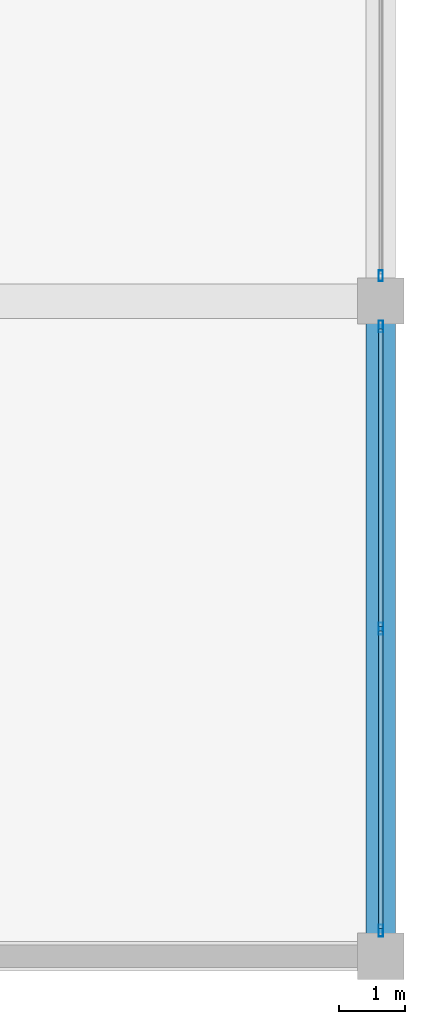
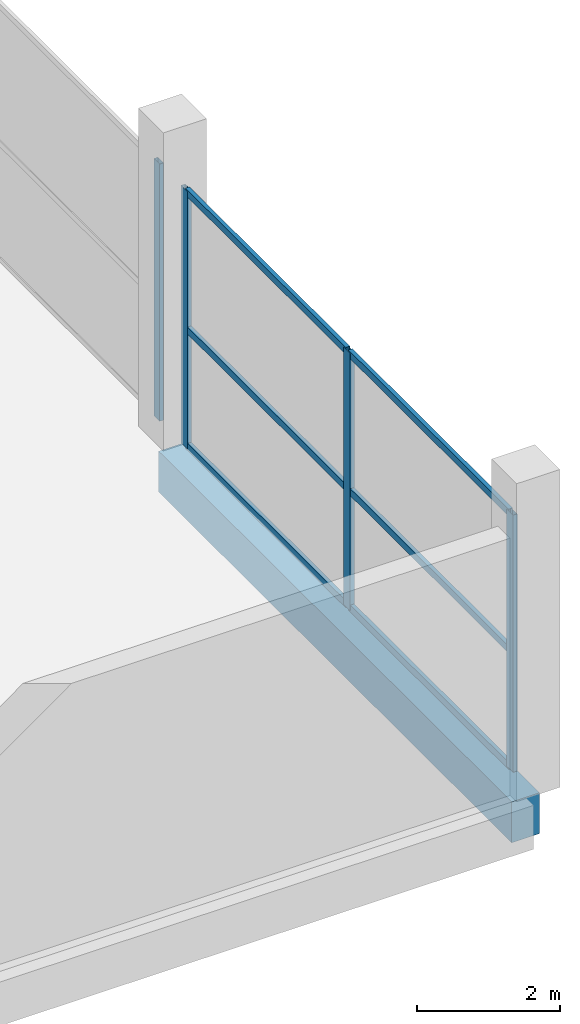
# One storey, part 35 of 74: 10 members, 1 beam, 2 elements without a shape of their own.
"""IFC4 building model written with IfcOpenShell, lengths in metres."""

from ifc_helpers import new_model, si_unit, direction, frame, origin, origin_2d, place, context, subcontext, project, spatial, rectangle, hollow_rectangle, extrude, material, layer, layer_set, material_profile, profile_set, type_object, element, aggregate, save


model = new_model("IFC4")

# Units and contexts
model_context = context("Model", 3, precision=1e-05, world=origin(), true_north=direction((0.0, 1.0)))
body_context = subcontext(model_context, "Body", "Model", "MODEL_VIEW")
ifc_project = project(units=[si_unit("LENGTHUNIT", "METRE"), si_unit("AREAUNIT", "SQUARE_METRE"), si_unit("VOLUMEUNIT", "CUBIC_METRE"), si_unit("PLANEANGLEUNIT", "RADIAN"), si_unit("MASSUNIT", "GRAM", prefix="KILO")], contexts=[model_context])

# Site, building, storey
site_placement = place(None, origin())
site = spatial("IfcSite", under=ifc_project, at=site_placement, CompositionType="ELEMENT")
building_placement = place(site_placement, origin())
building = spatial("IfcBuilding", under=site, at=building_placement, Name="Sillaruma Civic Art Gallery", CompositionType="ELEMENT")
storey_placement = place(building_placement, frame((0.0, 0.0, 5.43994140625)))
storey = spatial("IfcBuildingStorey", under=building, at=storey_placement, Name="L01", CompositionType="ELEMENT", Elevation=5.43994140625)

# Beam
ifc_material_1 = material(Name="Concrete H35 (35 MPa)", Category="concrete")
ifc_material_profile_1 = material_profile(ifc_material_1, rectangle(XDim=0.449951171875, YDim=0.699951171875, at=origin_2d()), Name="RCB450x700")
ifc_profile_set_1 = profile_set([ifc_material_profile_1], Name="Concrete H35 (35 MPa)")
beam_type = type_object("IfcBeamType", Name="BM-SPANDREL-RCB450x700", PredefinedType="SPANDREL", material=ifc_profile_set_1)
beam_placement = place(storey_placement, frame((176.39990234375, 0.0, -0.60986328125), z_axis=(0.0, 1.0, 0.0), x_axis=(-1.0, 0.0, 0.0)))
element("IfcBeam", 1, at=beam_placement, inside=storey, type_object=beam_type, Name="Beam BS-03 (L00:T:1-2)", PredefinedType="SPANDREL", context=body_context, shape_type="SweptSolid", body=[
    extrude(rectangle(XDim=0.449951171875, YDim=0.699951171875, at=origin_2d()), origin(), (0.0, 0.0, 1.0), 9.89990234375),
])

# Curtain wall, member
ifc_material_2 = material(Name="Thermally Broken Extruded Aluminium 6063-T6", Category="aluminium")
ifc_layer_1 = layer(ifc_material_2, 0.159912109375, Name="Thermally Broken Extruded Aluminium 6063-T6")
ifc_layer_set_1 = layer_set([ifc_layer_1], Name="Thermally Broken Extruded Aluminium 6063-T6")
curtain_wall_type_1 = type_object("IfcCurtainWallType", Name="CW-UNI-10", PredefinedType="NOTDEFINED", material=ifc_layer_set_1)
curtain_wall_1_placement = place(storey_placement, origin())
curtain_wall_1 = element("IfcCurtainWall", 2, at=curtain_wall_1_placement, inside=storey, type_object=curtain_wall_type_1, Name="Unitised Curtain Wall CW-10 (CW-L01-ESTR-2)", PredefinedType="NOTDEFINED")
ifc_material_profile_2 = material_profile(ifc_material_2, hollow_rectangle(XDim=0.06494140625, YDim=0.159912109375, WallThickness=0.00390625, at=origin_2d()), Name="CWM65x160")
ifc_profile_set_2 = profile_set([ifc_material_profile_2], Name="Thermally Broken Extruded Aluminium 6063-T6")
member_type_1 = type_object("IfcMemberType", Name="MEM-MUL-CWM65x160", PredefinedType="MULLION", material=ifc_profile_set_2)
member_1_placement = place(storey_placement, frame((176.39990234375, 10.282470703125, 0.0), z_axis=(0.0, 0.0, 1.0), x_axis=(-1.0, 0.0, 0.0)))
member_1 = element("IfcMember", 3, at=member_1_placement, type_object=member_type_1, Name="CW-10 mullion 1", PredefinedType="MULLION", context=body_context, shape_type="SweptSolid", body=[
    extrude(hollow_rectangle(XDim=0.06494140625, YDim=0.159912109375, WallThickness=0.00390625, at=origin_2d()), origin(), (0.0, 0.0, 1.0), 4.400146484375),
])
aggregate(curtain_wall_1, [member_1])

# Curtain wall, members
ifc_layer_2 = layer(ifc_material_2, 0.179931640625, Name="Thermally Broken Extruded Aluminium 6063-T6")
ifc_layer_set_2 = layer_set([ifc_layer_2], Name="Thermally Broken Extruded Aluminium 6063-T6")
curtain_wall_type_2 = type_object("IfcCurtainWallType", Name="CW-UNI-09", PredefinedType="NOTDEFINED", material=ifc_layer_set_2)
curtain_wall_2_placement = place(storey_placement, origin())
curtain_wall_2 = element("IfcCurtainWall", 4, at=curtain_wall_2_placement, inside=storey, type_object=curtain_wall_type_2, Name="Unitised Curtain Wall CW-09 (CW-L01-ESTR-1)", PredefinedType="NOTDEFINED")
ifc_material_profile_3 = material_profile(ifc_material_2, hollow_rectangle(XDim=0.070068359375, YDim=0.179931640625, WallThickness=0.00390625, at=origin_2d()), Name="CWM70x180")
ifc_profile_set_3 = profile_set([ifc_material_profile_3], Name="Thermally Broken Extruded Aluminium 6063-T6")
member_type_2 = type_object("IfcMemberType", Name="MEM-MUL-CWM70x180", PredefinedType="MULLION", material=ifc_profile_set_3)
member_2_placement = place(storey_placement, frame((176.39990234375, 0.385009765625, 0.0), z_axis=(0.0, 0.0, 1.0), x_axis=(-1.0, 0.0, 0.0)))
member_2 = element("IfcMember", 5, at=member_2_placement, type_object=member_type_2, Name="CW-09 mullion 1", PredefinedType="MULLION", context=body_context, shape_type="SweptSolid", body=[
    extrude(hollow_rectangle(XDim=0.070068359375, YDim=0.179931640625, WallThickness=0.00390625, at=origin_2d()), origin(), (0.0, 0.0, 1.0), 4.400146484375),
])
member_3_placement = place(storey_placement, frame((176.39990234375, 4.949951171875, 0.0), z_axis=(0.0, 0.0, 1.0), x_axis=(-1.0, 0.0, 0.0)))
member_3 = element("IfcMember", 6, at=member_3_placement, type_object=member_type_2, Name="CW-09 mullion 2", PredefinedType="MULLION", context=body_context, shape_type="SweptSolid", body=[
    extrude(hollow_rectangle(XDim=0.070068359375, YDim=0.179931640625, WallThickness=0.00390625, at=origin_2d()), origin(), (0.0, 0.0, 1.0), 4.400146484375),
])
member_4_placement = place(storey_placement, frame((176.39990234375, 9.514892578125, 0.0), z_axis=(0.0, 0.0, 1.0), x_axis=(-1.0, 0.0, 0.0)))
member_4 = element("IfcMember", 7, at=member_4_placement, type_object=member_type_2, Name="CW-09 mullion 3", PredefinedType="MULLION", context=body_context, shape_type="SweptSolid", body=[
    extrude(hollow_rectangle(XDim=0.070068359375, YDim=0.179931640625, WallThickness=0.00390625, at=origin_2d()), origin(), (0.0, 0.0, 1.0), 4.400146484375),
])
ifc_material_profile_4 = material_profile(ifc_material_2, hollow_rectangle(XDim=0.06494140625, YDim=0.1201171875, WallThickness=0.00341796875, at=origin_2d()), Name="CWT65x120")
ifc_profile_set_4 = profile_set([ifc_material_profile_4], Name="Thermally Broken Extruded Aluminium 6063-T6")
member_type_3 = type_object("IfcMemberType", Name="MEM-TRN-CWT65x120", PredefinedType="USERDEFINED", material=ifc_profile_set_4)
member_5_placement = place(storey_placement, frame((176.39990234375, 0.419921875, 0.032470703125), z_axis=(0.0, 1.0, 0.0), x_axis=(-1.0, 0.0, 0.0)))
member_5 = element("IfcMember", 8, at=member_5_placement, type_object=member_type_3, Name="CW-09 transom 1.1", ObjectType="TRANSOM", PredefinedType="USERDEFINED", context=body_context, shape_type="SweptSolid", body=[
    extrude(hollow_rectangle(XDim=0.06494140625, YDim=0.1201171875, WallThickness=0.00341796875, at=origin_2d()), origin(), (0.0, 0.0, 1.0), 4.4951171875),
])
member_6_placement = place(storey_placement, frame((176.39990234375, 0.419921875, 2.024169921875), z_axis=(0.0, 1.0, 0.0), x_axis=(-1.0, 0.0, 0.0)))
member_6 = element("IfcMember", 9, at=member_6_placement, type_object=member_type_3, Name="CW-09 transom 1.2", ObjectType="TRANSOM", PredefinedType="USERDEFINED", context=body_context, shape_type="SweptSolid", body=[
    extrude(hollow_rectangle(XDim=0.06494140625, YDim=0.1201171875, WallThickness=0.00341796875, at=origin_2d()), origin(), (0.0, 0.0, 1.0), 4.4951171875),
])
member_7_placement = place(storey_placement, frame((176.39990234375, 0.419921875, 4.36767578125), z_axis=(0.0, 1.0, 0.0), x_axis=(-1.0, 0.0, 0.0)))
member_7 = element("IfcMember", 10, at=member_7_placement, type_object=member_type_3, Name="CW-09 transom 1.3", ObjectType="TRANSOM", PredefinedType="USERDEFINED", context=body_context, shape_type="SweptSolid", body=[
    extrude(hollow_rectangle(XDim=0.06494140625, YDim=0.1201171875, WallThickness=0.00341796875, at=origin_2d()), origin(), (0.0, 0.0, 1.0), 4.4951171875),
])
member_8_placement = place(storey_placement, frame((176.39990234375, 4.985107421875, 0.032470703125), z_axis=(0.0, 1.0, 0.0), x_axis=(-1.0, 0.0, 0.0)))
member_8 = element("IfcMember", 11, at=member_8_placement, type_object=member_type_3, Name="CW-09 transom 2.1", ObjectType="TRANSOM", PredefinedType="USERDEFINED", context=body_context, shape_type="SweptSolid", body=[
    extrude(hollow_rectangle(XDim=0.06494140625, YDim=0.1201171875, WallThickness=0.00341796875, at=origin_2d()), origin(), (0.0, 0.0, 1.0), 4.494873046875),
])
member_9_placement = place(storey_placement, frame((176.39990234375, 4.985107421875, 2.024169921875), z_axis=(0.0, 1.0, 0.0), x_axis=(-1.0, 0.0, 0.0)))
member_9 = element("IfcMember", 12, at=member_9_placement, type_object=member_type_3, Name="CW-09 transom 2.2", ObjectType="TRANSOM", PredefinedType="USERDEFINED", context=body_context, shape_type="SweptSolid", body=[
    extrude(hollow_rectangle(XDim=0.06494140625, YDim=0.1201171875, WallThickness=0.00341796875, at=origin_2d()), origin(), (0.0, 0.0, 1.0), 4.494873046875),
])
member_10_placement = place(storey_placement, frame((176.39990234375, 4.985107421875, 4.36767578125), z_axis=(0.0, 1.0, 0.0), x_axis=(-1.0, 0.0, 0.0)))
member_10 = element("IfcMember", 13, at=member_10_placement, type_object=member_type_3, Name="CW-09 transom 2.3", ObjectType="TRANSOM", PredefinedType="USERDEFINED", context=body_context, shape_type="SweptSolid", body=[
    extrude(hollow_rectangle(XDim=0.06494140625, YDim=0.1201171875, WallThickness=0.00341796875, at=origin_2d()), origin(), (0.0, 0.0, 1.0), 4.494873046875),
])
aggregate(curtain_wall_2, [member_2, member_3, member_4, member_5, member_6, member_7, member_8, member_9, member_10])

save(model, "model.ifc")
